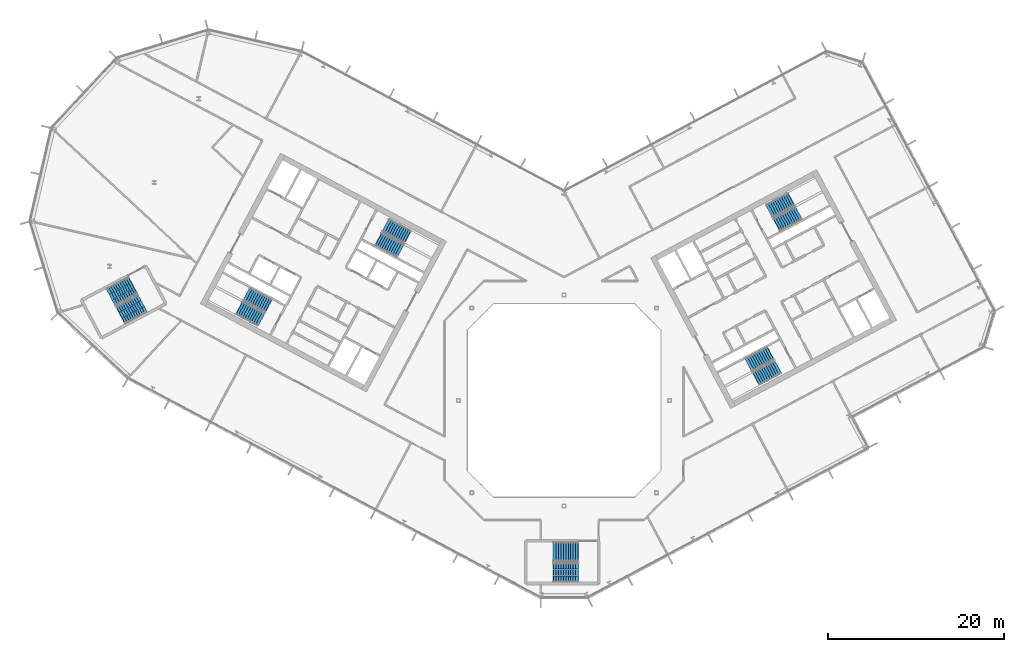
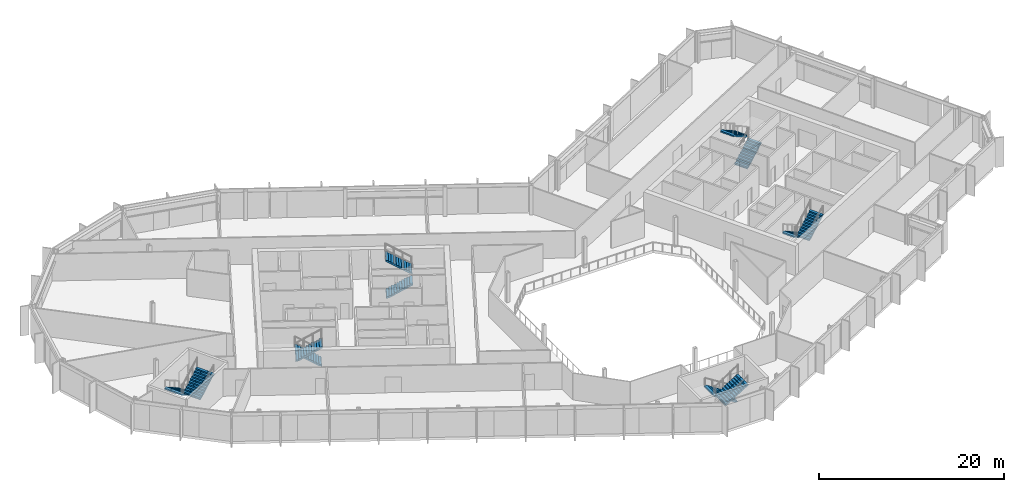
# One storey, part 17 of 26: 12 stair flights, 6 elements without a shape of their own.
"""IFC4 building model written with IfcOpenShell, lengths in metres."""

from ifc_helpers import new_model, si_unit, direction, frame, origin, place, context, subcontext, project, spatial, polyline, outline, extrude, material, type_object, element, aggregate, save


model = new_model("IFC4")

# Units and contexts
model_context = context("Model", 3, precision=1e-05, world=origin(), true_north=direction((0.0, 1.0)))
body_context = subcontext(model_context, "Body", "Model", "MODEL_VIEW")
ifc_project = project(units=[si_unit("LENGTHUNIT", "METRE"), si_unit("AREAUNIT", "SQUARE_METRE"), si_unit("VOLUMEUNIT", "CUBIC_METRE"), si_unit("PLANEANGLEUNIT", "RADIAN"), si_unit("MASSUNIT", "GRAM", prefix="KILO")], contexts=[model_context])

# Site, building, storey
site_placement = place(None, origin())
site = spatial("IfcSite", under=ifc_project, at=site_placement, CompositionType="ELEMENT")
building_placement = place(site_placement, origin())
building = spatial("IfcBuilding", under=site, at=building_placement, Name="Cormorant Relay Tower", CompositionType="ELEMENT")
storey_placement = place(building_placement, frame((0.0, 0.0, 236.39990234375)))
storey = spatial("IfcBuildingStorey", under=building, at=storey_placement, Name="L52", CompositionType="ELEMENT", Elevation=236.39990234375)

# Stair, stair flights
ifc_material_1 = material(Name="Concrete 40 MPa", Category="concrete")
stair_type_1 = type_object("IfcStairType", Name="Exit stair 1500", PredefinedType="HALF_TURN_STAIR", material=ifc_material_1)
stair_1_placement = place(storey_placement, origin())
stair_1 = element("IfcStair", 1, at=stair_1_placement, inside=storey, type_object=stair_type_1, Name="L52 Stair", PredefinedType="HALF_TURN_STAIR")
ifc_material_2 = material(Name="Concrete 40 MPa", Category="concrete")
stair_flight_type_1 = type_object("IfcStairFlightType", Name="Exit stair flight 1650", PredefinedType="STRAIGHT", material=ifc_material_2)
stair_flight_1_placement = place(storey_placement, frame((-21.114501953125, 18.33349609375, 0.0), z_axis=(0.0, 0.0, 1.0), x_axis=(0.882947592859, -0.469471562786, 0.0)))
stair_flight_1 = element("IfcStairFlight", 2, at=stair_flight_1_placement, type_object=stair_flight_type_1, Name="A1 flight 1", NumberOfRisers=11, NumberOfTreads=10, PredefinedType="STRAIGHT", RiserHeight=0.177272727, TreadLength=0.28, context=body_context, shape_type="SweptSolid", body=[
    extrude(outline(polyline([(-0.050048828125, -0.080078125), (-0.050048828125, 0.0), (0.0, 0.0), (0.0, 0.17724609375), (0.280029296875, 0.17724609375), (0.280029296875, 0.3544921875), (0.56005859375, 0.3544921875), (0.56005859375, 0.53173828125), (0.840087890625, 0.53173828125), (0.840087890625, 0.708984375), (1.1201171875, 0.708984375), (1.1201171875, 0.886474609375), (1.39990234375, 0.886474609375), (1.39990234375, 1.063720703125), (1.679931640625, 1.063720703125), (1.679931640625, 1.240966796875), (1.9599609375, 1.240966796875), (1.9599609375, 1.418212890625), (2.239990234375, 1.418212890625), (2.239990234375, 1.595458984375), (2.52001953125, 1.595458984375), (2.52001953125, 1.772705078125), (2.800048828125, 1.772705078125), (2.85009765625, 1.772705078125), (2.85009765625, 1.59521484375), (2.800048828125, 1.59521484375), (0.2802734375, 0.0), (-0.050048828125, -0.080078125)])), frame((0.0, 0.824951171875, 0.0), z_axis=(0.0, -1.0, 0.0), x_axis=(1.0, 0.0, 0.0)), (0.0, 0.0, 1.0), 1.64990234375),
])
stair_flight_2_placement = place(storey_placement, frame((-17.797119140625, 18.6083984375, 1.9501953125), z_axis=(0.0, 0.0, 1.0), x_axis=(-0.882947592859, 0.469471562786, 0.0)))
stair_flight_2 = element("IfcStairFlight", 3, at=stair_flight_2_placement, type_object=stair_flight_type_1, Name="A1 flight 2", NumberOfRisers=11, NumberOfTreads=10, PredefinedType="STRAIGHT", RiserHeight=0.177272727, TreadLength=0.28, context=body_context, shape_type="SweptSolid", body=[
    extrude(outline(polyline([(-0.050048828125, -0.080078125), (-0.050048828125, 0.0), (0.0, 0.0), (0.0, 0.17724609375), (0.280029296875, 0.17724609375), (0.280029296875, 0.3544921875), (0.56005859375, 0.3544921875), (0.56005859375, 0.53173828125), (0.840087890625, 0.53173828125), (0.840087890625, 0.708984375), (1.1201171875, 0.708984375), (1.1201171875, 0.886474609375), (1.39990234375, 0.886474609375), (1.39990234375, 1.063720703125), (1.679931640625, 1.063720703125), (1.679931640625, 1.240966796875), (1.9599609375, 1.240966796875), (1.9599609375, 1.418212890625), (2.239990234375, 1.418212890625), (2.239990234375, 1.595458984375), (2.52001953125, 1.595458984375), (2.52001953125, 1.772705078125), (2.800048828125, 1.772705078125), (2.85009765625, 1.772705078125), (2.85009765625, 1.59521484375), (2.800048828125, 1.59521484375), (0.2802734375, 0.0), (-0.050048828125, -0.080078125)])), frame((0.0, 0.824951171875, 0.0), z_axis=(0.0, -1.0, 0.0), x_axis=(1.0, 0.0, 0.0)), (0.0, 0.0, 1.0), 1.64990234375),
])
aggregate(stair_1, [stair_flight_1, stair_flight_2])

stair_2_placement = place(storey_placement, origin())
stair_2 = element("IfcStair", 4, at=stair_2_placement, inside=storey, type_object=stair_type_1, Name="L52 Stair", PredefinedType="HALF_TURN_STAIR")
stair_flight_3_placement = place(storey_placement, frame((-33.62841796875, 10.773681640625, 0.0), z_axis=(0.0, 0.0, 1.0), x_axis=(-0.882947592859, 0.469471562786, 0.0)))
stair_flight_3 = element("IfcStairFlight", 5, at=stair_flight_3_placement, type_object=stair_flight_type_1, Name="A2 flight 1", NumberOfRisers=11, NumberOfTreads=10, PredefinedType="STRAIGHT", RiserHeight=0.177272727, TreadLength=0.28, context=body_context, shape_type="SweptSolid", body=[
    extrude(outline(polyline([(-0.050048828125, -0.080078125), (-0.050048828125, 0.0), (0.0, 0.0), (0.0, 0.17724609375), (0.280029296875, 0.17724609375), (0.280029296875, 0.3544921875), (0.56005859375, 0.3544921875), (0.56005859375, 0.53173828125), (0.840087890625, 0.53173828125), (0.840087890625, 0.708984375), (1.1201171875, 0.708984375), (1.1201171875, 0.886474609375), (1.39990234375, 0.886474609375), (1.39990234375, 1.063720703125), (1.679931640625, 1.063720703125), (1.679931640625, 1.240966796875), (1.9599609375, 1.240966796875), (1.9599609375, 1.418212890625), (2.239990234375, 1.418212890625), (2.239990234375, 1.595458984375), (2.52001953125, 1.595458984375), (2.52001953125, 1.772705078125), (2.800048828125, 1.772705078125), (2.85009765625, 1.772705078125), (2.85009765625, 1.59521484375), (2.800048828125, 1.59521484375), (0.2802734375, 0.0), (-0.050048828125, -0.080078125)])), frame((0.0, 0.824951171875, 0.0), z_axis=(0.0, -1.0, 0.0), x_axis=(1.0, 0.0, 0.0)), (0.0, 0.0, 1.0), 1.64990234375),
])
stair_flight_4_placement = place(storey_placement, frame((-36.945556640625, 10.498779296875, 1.9501953125), z_axis=(0.0, 0.0, 1.0), x_axis=(0.882947592859, -0.469471562786, 0.0)))
stair_flight_4 = element("IfcStairFlight", 6, at=stair_flight_4_placement, type_object=stair_flight_type_1, Name="A2 flight 2", NumberOfRisers=11, NumberOfTreads=10, PredefinedType="STRAIGHT", RiserHeight=0.177272727, TreadLength=0.28, context=body_context, shape_type="SweptSolid", body=[
    extrude(outline(polyline([(-0.050048828125, -0.080078125), (-0.050048828125, 0.0), (0.0, 0.0), (0.0, 0.17724609375), (0.280029296875, 0.17724609375), (0.280029296875, 0.3544921875), (0.56005859375, 0.3544921875), (0.56005859375, 0.53173828125), (0.840087890625, 0.53173828125), (0.840087890625, 0.708984375), (1.1201171875, 0.708984375), (1.1201171875, 0.886474609375), (1.39990234375, 0.886474609375), (1.39990234375, 1.063720703125), (1.679931640625, 1.063720703125), (1.679931640625, 1.240966796875), (1.9599609375, 1.240966796875), (1.9599609375, 1.418212890625), (2.239990234375, 1.418212890625), (2.239990234375, 1.595458984375), (2.52001953125, 1.595458984375), (2.52001953125, 1.772705078125), (2.800048828125, 1.772705078125), (2.85009765625, 1.772705078125), (2.85009765625, 1.59521484375), (2.800048828125, 1.59521484375), (0.2802734375, 0.0), (-0.050048828125, -0.080078125)])), frame((0.0, 0.824951171875, 0.0), z_axis=(0.0, -1.0, 0.0), x_axis=(1.0, 0.0, 0.0)), (0.0, 0.0, 1.0), 1.64990234375),
])
aggregate(stair_2, [stair_flight_3, stair_flight_4])

stair_3_placement = place(storey_placement, origin())
stair_3 = element("IfcStair", 7, at=stair_3_placement, inside=storey, type_object=stair_type_1, Name="L52 Stair", PredefinedType="HALF_TURN_STAIR")
stair_flight_5_placement = place(storey_placement, frame((23.474365234375, 5.374755859375, 0.0), z_axis=(0.0, 0.0, 1.0), x_axis=(-0.882947592859, -0.469471562786, 0.0)))
stair_flight_5 = element("IfcStairFlight", 8, at=stair_flight_5_placement, type_object=stair_flight_type_1, Name="B1 flight 1", NumberOfRisers=11, NumberOfTreads=10, PredefinedType="STRAIGHT", RiserHeight=0.177272727, TreadLength=0.28, context=body_context, shape_type="SweptSolid", body=[
    extrude(outline(polyline([(-0.050048828125, -0.080078125), (-0.050048828125, 0.0), (0.0, 0.0), (0.0, 0.17724609375), (0.280029296875, 0.17724609375), (0.280029296875, 0.3544921875), (0.56005859375, 0.3544921875), (0.56005859375, 0.53173828125), (0.840087890625, 0.53173828125), (0.840087890625, 0.708984375), (1.1201171875, 0.708984375), (1.1201171875, 0.886474609375), (1.39990234375, 0.886474609375), (1.39990234375, 1.063720703125), (1.679931640625, 1.063720703125), (1.679931640625, 1.240966796875), (1.9599609375, 1.240966796875), (1.9599609375, 1.418212890625), (2.239990234375, 1.418212890625), (2.239990234375, 1.595458984375), (2.52001953125, 1.595458984375), (2.52001953125, 1.772705078125), (2.800048828125, 1.772705078125), (2.85009765625, 1.772705078125), (2.85009765625, 1.59521484375), (2.800048828125, 1.59521484375), (0.2802734375, 0.0), (-0.050048828125, -0.080078125)])), frame((0.0, 0.824951171875, 0.0), z_axis=(0.0, -1.0, 0.0), x_axis=(1.0, 0.0, 0.0)), (0.0, 0.0, 1.0), 1.64990234375),
])
stair_flight_6_placement = place(storey_placement, frame((21.84716796875, 2.470947265625, 1.9501953125), z_axis=(0.0, 0.0, 1.0), x_axis=(0.882947592859, 0.469471562786, 0.0)))
stair_flight_6 = element("IfcStairFlight", 9, at=stair_flight_6_placement, type_object=stair_flight_type_1, Name="B1 flight 2", NumberOfRisers=11, NumberOfTreads=10, PredefinedType="STRAIGHT", RiserHeight=0.177272727, TreadLength=0.28, context=body_context, shape_type="SweptSolid", body=[
    extrude(outline(polyline([(-0.050048828125, -0.080078125), (-0.050048828125, 0.0), (0.0, 0.0), (0.0, 0.17724609375), (0.280029296875, 0.17724609375), (0.280029296875, 0.3544921875), (0.56005859375, 0.3544921875), (0.56005859375, 0.53173828125), (0.840087890625, 0.53173828125), (0.840087890625, 0.708984375), (1.1201171875, 0.708984375), (1.1201171875, 0.886474609375), (1.39990234375, 0.886474609375), (1.39990234375, 1.063720703125), (1.679931640625, 1.063720703125), (1.679931640625, 1.240966796875), (1.9599609375, 1.240966796875), (1.9599609375, 1.418212890625), (2.239990234375, 1.418212890625), (2.239990234375, 1.595458984375), (2.52001953125, 1.595458984375), (2.52001953125, 1.772705078125), (2.800048828125, 1.772705078125), (2.85009765625, 1.772705078125), (2.85009765625, 1.59521484375), (2.800048828125, 1.59521484375), (0.2802734375, 0.0), (-0.050048828125, -0.080078125)])), frame((0.0, 0.824951171875, 0.0), z_axis=(0.0, -1.0, 0.0), x_axis=(1.0, 0.0, 0.0)), (0.0, 0.0, 1.0), 1.64990234375),
])
aggregate(stair_3, [stair_flight_5, stair_flight_6])

stair_4_placement = place(storey_placement, origin())
stair_4 = element("IfcStair", 10, at=stair_4_placement, inside=storey, type_object=stair_type_1, Name="L52 Stair", PredefinedType="HALF_TURN_STAIR")
stair_flight_7_placement = place(storey_placement, frame((24.20458984375, 19.976806640625, 0.0), z_axis=(0.0, 0.0, 1.0), x_axis=(0.882947592859, 0.469471562786, 0.0)))
stair_flight_7 = element("IfcStairFlight", 11, at=stair_flight_7_placement, type_object=stair_flight_type_1, Name="B2 flight 1", NumberOfRisers=11, NumberOfTreads=10, PredefinedType="STRAIGHT", RiserHeight=0.177272727, TreadLength=0.28, context=body_context, shape_type="SweptSolid", body=[
    extrude(outline(polyline([(-0.050048828125, -0.080078125), (-0.050048828125, 0.0), (0.0, 0.0), (0.0, 0.17724609375), (0.280029296875, 0.17724609375), (0.280029296875, 0.3544921875), (0.56005859375, 0.3544921875), (0.56005859375, 0.53173828125), (0.840087890625, 0.53173828125), (0.840087890625, 0.708984375), (1.1201171875, 0.708984375), (1.1201171875, 0.886474609375), (1.39990234375, 0.886474609375), (1.39990234375, 1.063720703125), (1.679931640625, 1.063720703125), (1.679931640625, 1.240966796875), (1.9599609375, 1.240966796875), (1.9599609375, 1.418212890625), (2.239990234375, 1.418212890625), (2.239990234375, 1.595458984375), (2.52001953125, 1.595458984375), (2.52001953125, 1.772705078125), (2.800048828125, 1.772705078125), (2.85009765625, 1.772705078125), (2.85009765625, 1.59521484375), (2.800048828125, 1.59521484375), (0.2802734375, 0.0), (-0.050048828125, -0.080078125)])), frame((0.0, 0.824951171875, 0.0), z_axis=(0.0, -1.0, 0.0), x_axis=(1.0, 0.0, 0.0)), (0.0, 0.0, 1.0), 1.64990234375),
])
stair_flight_8_placement = place(storey_placement, frame((25.831787109375, 22.880615234375, 1.9501953125), z_axis=(0.0, 0.0, 1.0), x_axis=(-0.882947592859, -0.469471562786, 0.0)))
stair_flight_8 = element("IfcStairFlight", 12, at=stair_flight_8_placement, type_object=stair_flight_type_1, Name="B2 flight 2", NumberOfRisers=11, NumberOfTreads=10, PredefinedType="STRAIGHT", RiserHeight=0.177272727, TreadLength=0.28, context=body_context, shape_type="SweptSolid", body=[
    extrude(outline(polyline([(-0.050048828125, -0.080078125), (-0.050048828125, 0.0), (0.0, 0.0), (0.0, 0.17724609375), (0.280029296875, 0.17724609375), (0.280029296875, 0.3544921875), (0.56005859375, 0.3544921875), (0.56005859375, 0.53173828125), (0.840087890625, 0.53173828125), (0.840087890625, 0.708984375), (1.1201171875, 0.708984375), (1.1201171875, 0.886474609375), (1.39990234375, 0.886474609375), (1.39990234375, 1.063720703125), (1.679931640625, 1.063720703125), (1.679931640625, 1.240966796875), (1.9599609375, 1.240966796875), (1.9599609375, 1.418212890625), (2.239990234375, 1.418212890625), (2.239990234375, 1.595458984375), (2.52001953125, 1.595458984375), (2.52001953125, 1.772705078125), (2.800048828125, 1.772705078125), (2.85009765625, 1.772705078125), (2.85009765625, 1.59521484375), (2.800048828125, 1.59521484375), (0.2802734375, 0.0), (-0.050048828125, -0.080078125)])), frame((0.0, 0.824951171875, 0.0), z_axis=(0.0, -1.0, 0.0), x_axis=(1.0, 0.0, 0.0)), (0.0, 0.0, 1.0), 1.64990234375),
])
aggregate(stair_4, [stair_flight_7, stair_flight_8])

ifc_material_3 = material(Name="Concrete 40 MPa", Category="concrete")
stair_type_2 = type_object("IfcStairType", Name="Remote exit stair 2200", PredefinedType="HALF_TURN_STAIR", material=ifc_material_3)
stair_5_placement = place(storey_placement, origin())
stair_5 = element("IfcStair", 13, at=stair_5_placement, inside=storey, type_object=stair_type_2, Name="L52 Stair", PredefinedType="HALF_TURN_STAIR")
ifc_material_4 = material(Name="Concrete 40 MPa", Category="concrete")
stair_flight_type_2 = type_object("IfcStairFlightType", Name="Remote exit stair flight 2200", PredefinedType="STRAIGHT", material=ifc_material_4)
stair_flight_9_placement = place(storey_placement, frame((1.60009765625, -17.22509765625, 0.0), z_axis=(0.0, 0.0, 1.0), x_axis=(-1.0, 0.0, 0.0)))
stair_flight_9 = element("IfcStairFlight", 14, at=stair_flight_9_placement, type_object=stair_flight_type_2, Name="RK1 flight 1", NumberOfRisers=11, NumberOfTreads=10, PredefinedType="STRAIGHT", RiserHeight=0.177272727, TreadLength=0.28, context=body_context, shape_type="SweptSolid", body=[
    extrude(outline(polyline([(-0.050048828125, -0.080078125), (-0.050048828125, 0.0), (0.0, 0.0), (0.0, 0.17724609375), (0.280029296875, 0.17724609375), (0.280029296875, 0.3544921875), (0.56005859375, 0.3544921875), (0.56005859375, 0.53173828125), (0.840087890625, 0.53173828125), (0.840087890625, 0.708984375), (1.1201171875, 0.708984375), (1.1201171875, 0.886474609375), (1.39990234375, 0.886474609375), (1.39990234375, 1.063720703125), (1.679931640625, 1.063720703125), (1.679931640625, 1.240966796875), (1.9599609375, 1.240966796875), (1.9599609375, 1.418212890625), (2.239990234375, 1.418212890625), (2.239990234375, 1.595458984375), (2.52001953125, 1.595458984375), (2.52001953125, 1.772705078125), (2.800048828125, 1.772705078125), (2.85009765625, 1.772705078125), (2.85009765625, 1.59521484375), (2.800048828125, 1.59521484375), (0.2802734375, 0.0), (-0.050048828125, -0.080078125)])), frame((0.0, 1.10009765625, 0.0), z_axis=(0.0, -1.0, 0.0), x_axis=(1.0, 0.0, 0.0)), (0.0, 0.0, 1.0), 0.719970703125),
    extrude(outline(polyline([(-0.050048828125, -0.080078125), (-0.050048828125, 0.0), (0.0, 0.0), (0.0, 0.17724609375), (0.280029296875, 0.17724609375), (0.280029296875, 0.3544921875), (0.56005859375, 0.3544921875), (0.56005859375, 0.53173828125), (0.840087890625, 0.53173828125), (0.840087890625, 0.708984375), (1.1201171875, 0.708984375), (1.1201171875, 0.886474609375), (1.39990234375, 0.886474609375), (1.39990234375, 1.063720703125), (1.679931640625, 1.063720703125), (1.679931640625, 1.240966796875), (1.9599609375, 1.240966796875), (1.9599609375, 1.418212890625), (2.239990234375, 1.418212890625), (2.239990234375, 1.595458984375), (2.52001953125, 1.595458984375), (2.52001953125, 1.772705078125), (2.800048828125, 1.772705078125), (2.85009765625, 1.772705078125), (2.85009765625, 1.59521484375), (2.800048828125, 1.59521484375), (0.2802734375, 0.0), (-0.050048828125, -0.080078125)])), frame((0.0, 0.360107421875, 0.0), z_axis=(0.0, -1.0, 0.0), x_axis=(1.0, 0.0, 0.0)), (0.0, 0.0, 1.0), 0.719970703125),
    extrude(outline(polyline([(-0.050048828125, -0.080078125), (-0.050048828125, 0.0), (0.0, 0.0), (0.0, 0.17724609375), (0.280029296875, 0.17724609375), (0.280029296875, 0.3544921875), (0.56005859375, 0.3544921875), (0.56005859375, 0.53173828125), (0.840087890625, 0.53173828125), (0.840087890625, 0.708984375), (1.1201171875, 0.708984375), (1.1201171875, 0.886474609375), (1.39990234375, 0.886474609375), (1.39990234375, 1.063720703125), (1.679931640625, 1.063720703125), (1.679931640625, 1.240966796875), (1.9599609375, 1.240966796875), (1.9599609375, 1.418212890625), (2.239990234375, 1.418212890625), (2.239990234375, 1.595458984375), (2.52001953125, 1.595458984375), (2.52001953125, 1.772705078125), (2.800048828125, 1.772705078125), (2.85009765625, 1.772705078125), (2.85009765625, 1.59521484375), (2.800048828125, 1.59521484375), (0.2802734375, 0.0), (-0.050048828125, -0.080078125)])), frame((0.0, -0.3798828125, 0.0), z_axis=(0.0, -1.0, 0.0), x_axis=(1.0, 0.0, 0.0)), (0.0, 0.0, 1.0), 0.719970703125),
])
stair_flight_10_placement = place(storey_placement, frame((-1.199951171875, -19.574951171875, 1.9501953125), z_axis=(0.0, 0.0, 1.0), x_axis=(1.0, 0.0, 0.0)))
stair_flight_10 = element("IfcStairFlight", 15, at=stair_flight_10_placement, type_object=stair_flight_type_2, Name="RK1 flight 2", NumberOfRisers=11, NumberOfTreads=10, PredefinedType="STRAIGHT", RiserHeight=0.177272727, TreadLength=0.28, context=body_context, shape_type="SweptSolid", body=[
    extrude(outline(polyline([(-0.050048828125, -0.080078125), (-0.050048828125, 0.0), (0.0, 0.0), (0.0, 0.17724609375), (0.280029296875, 0.17724609375), (0.280029296875, 0.3544921875), (0.56005859375, 0.3544921875), (0.56005859375, 0.53173828125), (0.840087890625, 0.53173828125), (0.840087890625, 0.708984375), (1.1201171875, 0.708984375), (1.1201171875, 0.886474609375), (1.39990234375, 0.886474609375), (1.39990234375, 1.063720703125), (1.679931640625, 1.063720703125), (1.679931640625, 1.240966796875), (1.9599609375, 1.240966796875), (1.9599609375, 1.418212890625), (2.239990234375, 1.418212890625), (2.239990234375, 1.595458984375), (2.52001953125, 1.595458984375), (2.52001953125, 1.772705078125), (2.800048828125, 1.772705078125), (2.85009765625, 1.772705078125), (2.85009765625, 1.59521484375), (2.800048828125, 1.59521484375), (0.2802734375, 0.0), (-0.050048828125, -0.080078125)])), frame((0.0, 1.10009765625, 0.0), z_axis=(0.0, -1.0, 0.0), x_axis=(1.0, 0.0, 0.0)), (0.0, 0.0, 1.0), 0.719970703125),
    extrude(outline(polyline([(-0.050048828125, -0.080078125), (-0.050048828125, 0.0), (0.0, 0.0), (0.0, 0.17724609375), (0.280029296875, 0.17724609375), (0.280029296875, 0.3544921875), (0.56005859375, 0.3544921875), (0.56005859375, 0.53173828125), (0.840087890625, 0.53173828125), (0.840087890625, 0.708984375), (1.1201171875, 0.708984375), (1.1201171875, 0.886474609375), (1.39990234375, 0.886474609375), (1.39990234375, 1.063720703125), (1.679931640625, 1.063720703125), (1.679931640625, 1.240966796875), (1.9599609375, 1.240966796875), (1.9599609375, 1.418212890625), (2.239990234375, 1.418212890625), (2.239990234375, 1.595458984375), (2.52001953125, 1.595458984375), (2.52001953125, 1.772705078125), (2.800048828125, 1.772705078125), (2.85009765625, 1.772705078125), (2.85009765625, 1.59521484375), (2.800048828125, 1.59521484375), (0.2802734375, 0.0), (-0.050048828125, -0.080078125)])), frame((0.0, 0.360107421875, 0.0), z_axis=(0.0, -1.0, 0.0), x_axis=(1.0, 0.0, 0.0)), (0.0, 0.0, 1.0), 0.719970703125),
    extrude(outline(polyline([(-0.050048828125, -0.080078125), (-0.050048828125, 0.0), (0.0, 0.0), (0.0, 0.17724609375), (0.280029296875, 0.17724609375), (0.280029296875, 0.3544921875), (0.56005859375, 0.3544921875), (0.56005859375, 0.53173828125), (0.840087890625, 0.53173828125), (0.840087890625, 0.708984375), (1.1201171875, 0.708984375), (1.1201171875, 0.886474609375), (1.39990234375, 0.886474609375), (1.39990234375, 1.063720703125), (1.679931640625, 1.063720703125), (1.679931640625, 1.240966796875), (1.9599609375, 1.240966796875), (1.9599609375, 1.418212890625), (2.239990234375, 1.418212890625), (2.239990234375, 1.595458984375), (2.52001953125, 1.595458984375), (2.52001953125, 1.772705078125), (2.800048828125, 1.772705078125), (2.85009765625, 1.772705078125), (2.85009765625, 1.59521484375), (2.800048828125, 1.59521484375), (0.2802734375, 0.0), (-0.050048828125, -0.080078125)])), frame((0.0, -0.3798828125, 0.0), z_axis=(0.0, -1.0, 0.0), x_axis=(1.0, 0.0, 0.0)), (0.0, 0.0, 1.0), 0.719970703125),
])
aggregate(stair_5, [stair_flight_9, stair_flight_10])

stair_6_placement = place(storey_placement, origin())
stair_6 = element("IfcStair", 16, at=stair_6_placement, inside=storey, type_object=stair_type_2, Name="L52 Stair", PredefinedType="HALF_TURN_STAIR")
stair_flight_11_placement = place(storey_placement, frame((-49.062255859375, 13.08251953125, 0.0), z_axis=(0.0, 0.0, 1.0), x_axis=(-0.882947502727, -0.4694717323, 0.0)))
stair_flight_11 = element("IfcStairFlight", 17, at=stair_flight_11_placement, type_object=stair_flight_type_2, Name="RP1 flight 1", NumberOfRisers=11, NumberOfTreads=10, PredefinedType="STRAIGHT", RiserHeight=0.177272727, TreadLength=0.28, context=body_context, shape_type="SweptSolid", body=[
    extrude(outline(polyline([(-0.050048828125, -0.080078125), (-0.050048828125, 0.0), (0.0, 0.0), (0.0, 0.17724609375), (0.280029296875, 0.17724609375), (0.280029296875, 0.3544921875), (0.56005859375, 0.3544921875), (0.56005859375, 0.53173828125), (0.840087890625, 0.53173828125), (0.840087890625, 0.708984375), (1.1201171875, 0.708984375), (1.1201171875, 0.886474609375), (1.39990234375, 0.886474609375), (1.39990234375, 1.063720703125), (1.679931640625, 1.063720703125), (1.679931640625, 1.240966796875), (1.9599609375, 1.240966796875), (1.9599609375, 1.418212890625), (2.239990234375, 1.418212890625), (2.239990234375, 1.595458984375), (2.52001953125, 1.595458984375), (2.52001953125, 1.772705078125), (2.800048828125, 1.772705078125), (2.85009765625, 1.772705078125), (2.85009765625, 1.59521484375), (2.800048828125, 1.59521484375), (0.2802734375, 0.0), (-0.050048828125, -0.080078125)])), frame((0.0, 1.10009765625, 0.0), z_axis=(0.0, -1.0, 0.0), x_axis=(1.0, 0.0, 0.0)), (0.0, 0.0, 1.0), 0.719970703125),
    extrude(outline(polyline([(-0.050048828125, -0.080078125), (-0.050048828125, 0.0), (0.0, 0.0), (0.0, 0.17724609375), (0.280029296875, 0.17724609375), (0.280029296875, 0.3544921875), (0.56005859375, 0.3544921875), (0.56005859375, 0.53173828125), (0.840087890625, 0.53173828125), (0.840087890625, 0.708984375), (1.1201171875, 0.708984375), (1.1201171875, 0.886474609375), (1.39990234375, 0.886474609375), (1.39990234375, 1.063720703125), (1.679931640625, 1.063720703125), (1.679931640625, 1.240966796875), (1.9599609375, 1.240966796875), (1.9599609375, 1.418212890625), (2.239990234375, 1.418212890625), (2.239990234375, 1.595458984375), (2.52001953125, 1.595458984375), (2.52001953125, 1.772705078125), (2.800048828125, 1.772705078125), (2.85009765625, 1.772705078125), (2.85009765625, 1.59521484375), (2.800048828125, 1.59521484375), (0.2802734375, 0.0), (-0.050048828125, -0.080078125)])), frame((0.0, 0.360107421875, 0.0), z_axis=(0.0, -1.0, 0.0), x_axis=(1.0, 0.0, 0.0)), (0.0, 0.0, 1.0), 0.719970703125),
    extrude(outline(polyline([(-0.050048828125, -0.080078125), (-0.050048828125, 0.0), (0.0, 0.0), (0.0, 0.17724609375), (0.280029296875, 0.17724609375), (0.280029296875, 0.3544921875), (0.56005859375, 0.3544921875), (0.56005859375, 0.53173828125), (0.840087890625, 0.53173828125), (0.840087890625, 0.708984375), (1.1201171875, 0.708984375), (1.1201171875, 0.886474609375), (1.39990234375, 0.886474609375), (1.39990234375, 1.063720703125), (1.679931640625, 1.063720703125), (1.679931640625, 1.240966796875), (1.9599609375, 1.240966796875), (1.9599609375, 1.418212890625), (2.239990234375, 1.418212890625), (2.239990234375, 1.595458984375), (2.52001953125, 1.595458984375), (2.52001953125, 1.772705078125), (2.800048828125, 1.772705078125), (2.85009765625, 1.772705078125), (2.85009765625, 1.59521484375), (2.800048828125, 1.59521484375), (0.2802734375, 0.0), (-0.050048828125, -0.080078125)])), frame((0.0, -0.3798828125, 0.0), z_axis=(0.0, -1.0, 0.0), x_axis=(1.0, 0.0, 0.0)), (0.0, 0.0, 1.0), 0.719970703125),
])
stair_flight_12_placement = place(storey_placement, frame((-50.431396484375, 9.693115234375, 1.9501953125), z_axis=(0.0, 0.0, 1.0), x_axis=(0.882947502727, 0.4694717323, 0.0)))
stair_flight_12 = element("IfcStairFlight", 18, at=stair_flight_12_placement, type_object=stair_flight_type_2, Name="RP1 flight 2", NumberOfRisers=11, NumberOfTreads=10, PredefinedType="STRAIGHT", RiserHeight=0.177272727, TreadLength=0.28, context=body_context, shape_type="SweptSolid", body=[
    extrude(outline(polyline([(-0.050048828125, -0.080078125), (-0.050048828125, 0.0), (0.0, 0.0), (0.0, 0.17724609375), (0.280029296875, 0.17724609375), (0.280029296875, 0.3544921875), (0.56005859375, 0.3544921875), (0.56005859375, 0.53173828125), (0.840087890625, 0.53173828125), (0.840087890625, 0.708984375), (1.1201171875, 0.708984375), (1.1201171875, 0.886474609375), (1.39990234375, 0.886474609375), (1.39990234375, 1.063720703125), (1.679931640625, 1.063720703125), (1.679931640625, 1.240966796875), (1.9599609375, 1.240966796875), (1.9599609375, 1.418212890625), (2.239990234375, 1.418212890625), (2.239990234375, 1.595458984375), (2.52001953125, 1.595458984375), (2.52001953125, 1.772705078125), (2.800048828125, 1.772705078125), (2.85009765625, 1.772705078125), (2.85009765625, 1.59521484375), (2.800048828125, 1.59521484375), (0.2802734375, 0.0), (-0.050048828125, -0.080078125)])), frame((0.0, 1.10009765625, 0.0), z_axis=(0.0, -1.0, 0.0), x_axis=(1.0, 0.0, 0.0)), (0.0, 0.0, 1.0), 0.719970703125),
    extrude(outline(polyline([(-0.050048828125, -0.080078125), (-0.050048828125, 0.0), (0.0, 0.0), (0.0, 0.17724609375), (0.280029296875, 0.17724609375), (0.280029296875, 0.3544921875), (0.56005859375, 0.3544921875), (0.56005859375, 0.53173828125), (0.840087890625, 0.53173828125), (0.840087890625, 0.708984375), (1.1201171875, 0.708984375), (1.1201171875, 0.886474609375), (1.39990234375, 0.886474609375), (1.39990234375, 1.063720703125), (1.679931640625, 1.063720703125), (1.679931640625, 1.240966796875), (1.9599609375, 1.240966796875), (1.9599609375, 1.418212890625), (2.239990234375, 1.418212890625), (2.239990234375, 1.595458984375), (2.52001953125, 1.595458984375), (2.52001953125, 1.772705078125), (2.800048828125, 1.772705078125), (2.85009765625, 1.772705078125), (2.85009765625, 1.59521484375), (2.800048828125, 1.59521484375), (0.2802734375, 0.0), (-0.050048828125, -0.080078125)])), frame((0.0, 0.360107421875, 0.0), z_axis=(0.0, -1.0, 0.0), x_axis=(1.0, 0.0, 0.0)), (0.0, 0.0, 1.0), 0.719970703125),
    extrude(outline(polyline([(-0.050048828125, -0.080078125), (-0.050048828125, 0.0), (0.0, 0.0), (0.0, 0.17724609375), (0.280029296875, 0.17724609375), (0.280029296875, 0.3544921875), (0.56005859375, 0.3544921875), (0.56005859375, 0.53173828125), (0.840087890625, 0.53173828125), (0.840087890625, 0.708984375), (1.1201171875, 0.708984375), (1.1201171875, 0.886474609375), (1.39990234375, 0.886474609375), (1.39990234375, 1.063720703125), (1.679931640625, 1.063720703125), (1.679931640625, 1.240966796875), (1.9599609375, 1.240966796875), (1.9599609375, 1.418212890625), (2.239990234375, 1.418212890625), (2.239990234375, 1.595458984375), (2.52001953125, 1.595458984375), (2.52001953125, 1.772705078125), (2.800048828125, 1.772705078125), (2.85009765625, 1.772705078125), (2.85009765625, 1.59521484375), (2.800048828125, 1.59521484375), (0.2802734375, 0.0), (-0.050048828125, -0.080078125)])), frame((0.0, -0.3798828125, 0.0), z_axis=(0.0, -1.0, 0.0), x_axis=(1.0, 0.0, 0.0)), (0.0, 0.0, 1.0), 0.719970703125),
])
aggregate(stair_6, [stair_flight_11, stair_flight_12])

save(model, "model.ifc")
